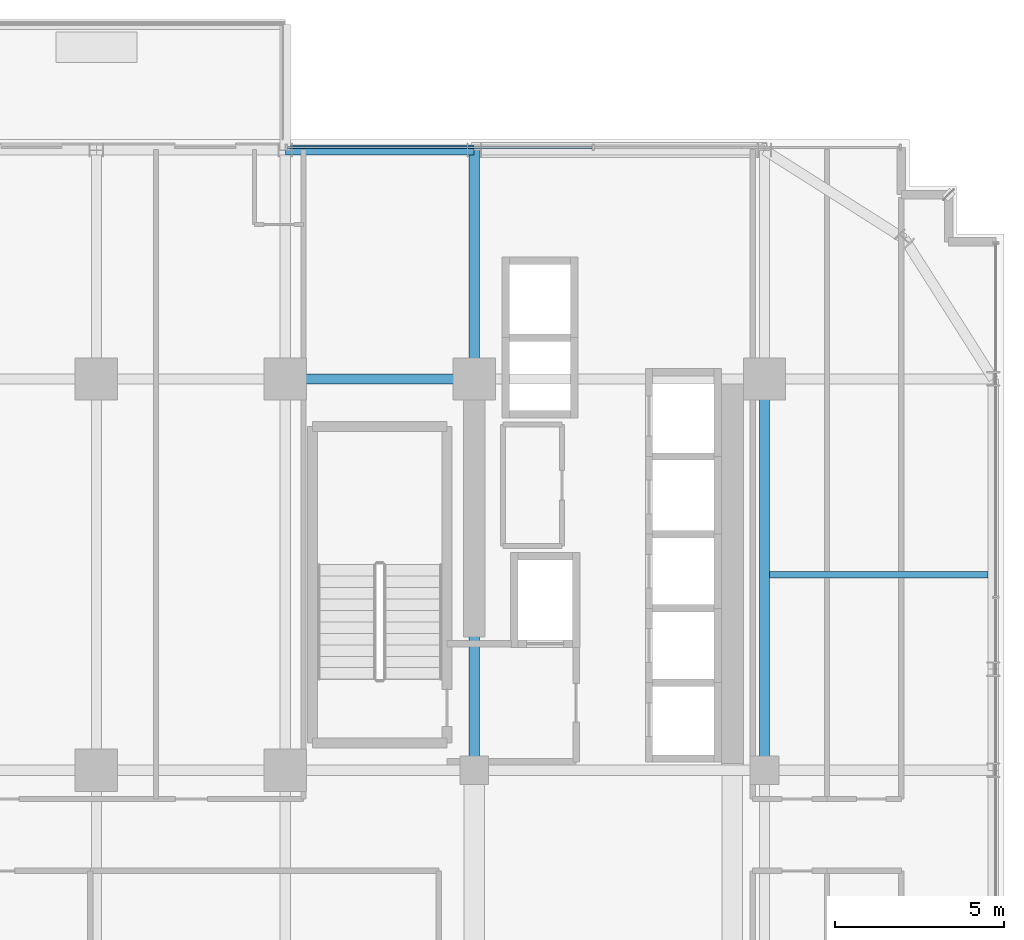
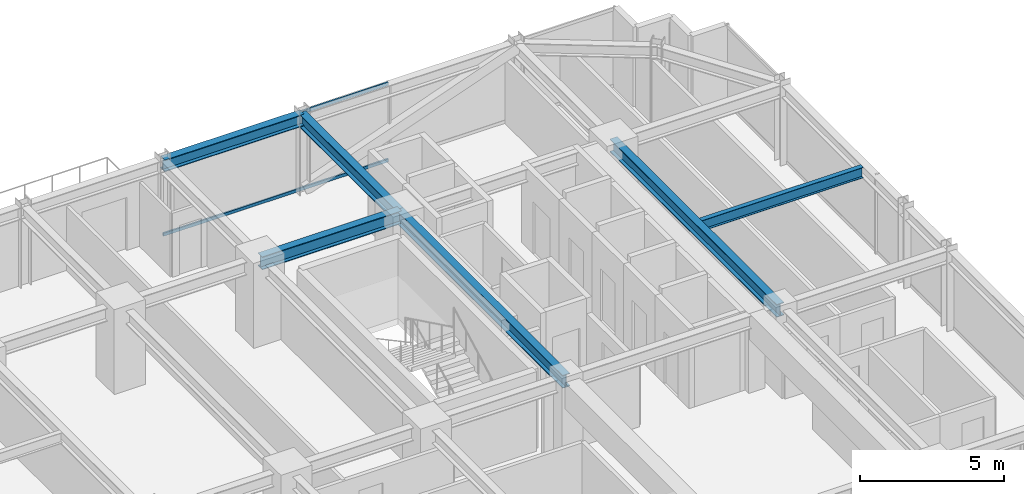
# One storey, part 21 of 40: 6 beams, 2 members, 1 element without a shape of its own.
"""IFC4 building model written with IfcOpenShell, lengths in metres."""

from ifc_helpers import new_model, si_unit, direction, frame, origin, origin_2d, place, context, subcontext, project, spatial, hollow_rectangle, i_section, extrude, source, transform, mapped, material, material_profile, profile_set, type_object, element, aggregate, save


model = new_model("IFC4")

# Units and contexts
model_context = context("Model", 3, precision=1e-05, world=origin(), true_north=direction((0.0, 1.0)))
body_context = subcontext(model_context, "Body", "Model", "MODEL_VIEW")
ifc_project = project(units=[si_unit("LENGTHUNIT", "METRE"), si_unit("AREAUNIT", "SQUARE_METRE"), si_unit("VOLUMEUNIT", "CUBIC_METRE"), si_unit("PLANEANGLEUNIT", "RADIAN"), si_unit("MASSUNIT", "GRAM", prefix="KILO")], contexts=[model_context])

# Site, building, storey
site_placement = place(None, origin())
site = spatial("IfcSite", under=ifc_project, at=site_placement, CompositionType="ELEMENT")
building_placement = place(site_placement, origin())
building = spatial("IfcBuilding", under=site, at=building_placement, Name="Nahalor Promenade Grand Hotel", CompositionType="ELEMENT")
storey_placement = place(building_placement, frame((0.0, 0.0, 91.949951171875)))
storey = spatial("IfcBuildingStorey", under=building, at=storey_placement, Name="L22", CompositionType="ELEMENT", Elevation=91.949951171875)

# Beams
ifc_material_1 = material(Name="Steel S355JR", Category="steel")
ifc_material_profile_1 = material_profile(ifc_material_1, i_section(OverallWidth=0.3, OverallDepth=0.5, WebThickness=0.0145, FlangeThickness=0.028, at=origin_2d()), Name="HEB 500")
ifc_profile_set_1 = profile_set([ifc_material_profile_1], Name="Steel S355JR")
beam_type_1 = type_object("IfcBeamType", Name="Beam-Spandrel-HEB500", PredefinedType="SPANDREL", material=ifc_profile_set_1)
shared_shape_1 = source(origin(), body_context, "Body", "SweptSolid", [
    extrude(i_section(OverallWidth=0.3, OverallDepth=0.5, WebThickness=0.0145, FlangeThickness=0.028, at=origin_2d()), origin(), (0.0, 0.0, 1.0), 5.599853515625),
])
beam_1_placement = place(storey_placement, frame((2.800048828125, 23.780029296875, 3.130126953125), z_axis=(1.0, 0.0, 0.0), x_axis=(0.0, 1.0, 0.0)))
element("IfcBeam", 1, at=beam_1_placement, inside=storey, type_object=beam_type_1, Name="BM-L22-SP-N-3", PredefinedType="SPANDREL", context=body_context, shape_type="MappedRepresentation", body=[
    mapped(shared_shape_1, transform((0.0, 0.0, 0.0), scale=1.0)),
])
ifc_material_profile_2 = material_profile(ifc_material_1, i_section(OverallWidth=0.3, OverallDepth=0.55, WebThickness=0.015, FlangeThickness=0.029, at=origin_2d()), Name="HEB 550")
ifc_profile_set_2 = profile_set([ifc_material_profile_2], Name="Steel S355JR")
beam_type_2 = type_object("IfcBeamType", Name="Beam-Girder-HEB550", PredefinedType="BEAM", material=ifc_profile_set_2)
shared_shape_2 = source(origin(), body_context, "Body", "SweptSolid", [
    extrude(i_section(OverallWidth=0.3, OverallDepth=0.55, WebThickness=0.015, FlangeThickness=0.029, at=origin_2d()), origin(), (0.0, 0.0, 1.0), 6.780029296875),
])
beam_2_placement = place(storey_placement, frame((8.39990234375, 17.0, 3.10498046875), z_axis=(0.0, 1.0, 0.0), x_axis=(-1.0, 0.0, 0.0)))
element("IfcBeam", 2, at=beam_2_placement, inside=storey, type_object=beam_type_2, Name="BM-L22-GY-4-4", PredefinedType="BEAM", context=body_context, shape_type="MappedRepresentation", body=[
    mapped(shared_shape_2, transform((0.0, 0.0, 0.0), scale=1.0)),
])
shared_shape_3 = source(origin(), body_context, "Body", "SweptSolid", [
    extrude(i_section(OverallWidth=0.3, OverallDepth=0.55, WebThickness=0.015, FlangeThickness=0.029, at=origin_2d()), origin(), (0.0, 0.0, 1.0), 5.599853515625),
])
beam_3_placement = place(storey_placement, frame((2.800048828125, 17.0, 3.10498046875), z_axis=(1.0, 0.0, 0.0), x_axis=(0.0, 1.0, 0.0)))
element("IfcBeam", 3, at=beam_3_placement, inside=storey, type_object=beam_type_2, Name="BM-L22-GX-3-4", PredefinedType="BEAM", context=body_context, shape_type="MappedRepresentation", body=[
    mapped(shared_shape_3, transform((0.0, 0.0, 0.0), scale=1.0)),
])
shared_shape_4 = source(origin(), body_context, "Body", "SweptSolid", [
    extrude(i_section(OverallWidth=0.3, OverallDepth=0.55, WebThickness=0.015, FlangeThickness=0.029, at=origin_2d()), origin(), (0.0, 0.0, 1.0), 11.60009765625),
])
for number, where, z_axis, x_axis, name in (
    (4, (8.39990234375, 5.39990234375, 3.10498046875), (0.0, 1.0, 0.0), (-1.0, 0.0, 0.0), "BM-L22-GY-4-3"),
    (5, (17.0, 5.39990234375, 3.10498046875), (0.0, 1.0, 0.0), (-1.0, 0.0, 0.0), "BM-L22-GY-5-3"),
):
    element("IfcBeam", number, at=place(storey_placement, frame(where, z_axis=z_axis, x_axis=x_axis)), inside=storey, type_object=beam_type_2, Name=name, PredefinedType="BEAM", context=body_context, shape_type="MappedRepresentation", body=[
        mapped(shared_shape_4, transform((0.0, 0.0, 0.0), scale=1.0)),
    ])
ifc_material_profile_3 = material_profile(ifc_material_1, i_section(OverallWidth=0.19, OverallDepth=0.45, WebThickness=0.0094, FlangeThickness=0.0146, at=origin_2d()), Name="IPE 450")
ifc_profile_set_3 = profile_set([ifc_material_profile_3], Name="Steel S355JR")
beam_type_3 = type_object("IfcBeamType", Name="Beam-Joist-IPE450", PredefinedType="JOIST", material=ifc_profile_set_3)
shared_shape_5 = source(origin(), body_context, "Body", "SweptSolid", [
    extrude(i_section(OverallWidth=0.19, OverallDepth=0.45, WebThickness=0.0094, FlangeThickness=0.0146, at=origin_2d()), origin(), (0.0, 0.0, 1.0), 6.47998046875),
])
beam_4_placement = place(storey_placement, frame((17.14990234375, 11.199951171875, 3.155029296875), z_axis=(1.0, 0.0, 0.0), x_axis=(0.0, 1.0, 0.0)))
element("IfcBeam", 6, at=beam_4_placement, inside=storey, type_object=beam_type_3, Name="BM-L22-JSE-1-2", PredefinedType="JOIST", context=body_context, shape_type="MappedRepresentation", body=[
    mapped(shared_shape_5, transform((0.0, 0.0, 0.0), scale=1.0)),
])

# Curtain wall, members
ifc_material_2 = material(Name="Anodised Bronze Aluminium EN AW-6063 T6", Category="aluminium")
curtain_wall_type = type_object("IfcCurtainWallType", Name="CW2 Typical Hotel Flush Bronze Unitised Curtain Wall", PredefinedType="USERDEFINED", material=ifc_material_2)
curtain_wall_placement = place(storey_placement, origin())
curtain_wall = element("IfcCurtainWall", 7, at=curtain_wall_placement, inside=storey, type_object=curtain_wall_type, Name="L22 Curtain Wall CW-L22-N-3", ObjectType="UNITISED_CURTAIN_WALL", PredefinedType="USERDEFINED")
ifc_material_profile_4 = material_profile(ifc_material_2, hollow_rectangle(XDim=0.065, YDim=0.13, WallThickness=0.004, at=origin_2d()), Name="CWT 65x130x4")
ifc_profile_set_4 = profile_set([ifc_material_profile_4], Name="Anodised Bronze Aluminium EN AW-6063 T6")
member_type = type_object("IfcMemberType", Name="CWT2 Typical Bronze Transom 65x130", PredefinedType="USERDEFINED", material=ifc_profile_set_4)
shared_shape_6 = source(origin(), body_context, "Body", "SweptSolid", [
    extrude(hollow_rectangle(XDim=0.065, YDim=0.13, WallThickness=0.004, at=origin_2d()), origin(), (0.0, 0.0, 1.0), 9.032470703125),
])
member_1_placement = place(storey_placement, frame((2.864990234375, 23.860107421875, 0.06494140625), z_axis=(1.0, 0.0, 0.0), x_axis=(0.0, 1.0, 0.0)))
member_1 = element("IfcMember", 8, at=member_1_placement, type_object=member_type, Name="CW-L22-N-3 Transom 0-0", ObjectType="TRANSOM", PredefinedType="USERDEFINED", context=body_context, shape_type="MappedRepresentation", body=[
    mapped(shared_shape_6, transform((0.0, 0.0, 0.0), scale=1.0)),
])
member_2_placement = place(storey_placement, frame((2.864990234375, 23.860107421875, 3.31494140625), z_axis=(1.0, 0.0, 0.0), x_axis=(0.0, 1.0, 0.0)))
member_2 = element("IfcMember", 9, at=member_2_placement, type_object=member_type, Name="CW-L22-N-3 Transom 0-1", ObjectType="TRANSOM", PredefinedType="USERDEFINED", context=body_context, shape_type="MappedRepresentation", body=[
    mapped(shared_shape_6, transform((0.0, 0.0, 0.0), scale=1.0)),
])
aggregate(curtain_wall, [member_1, member_2])

save(model, "model.ifc")
